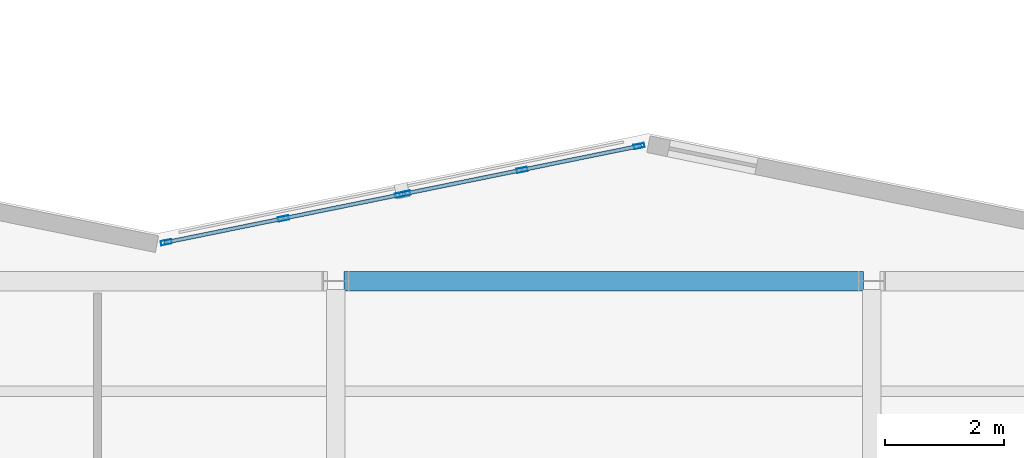
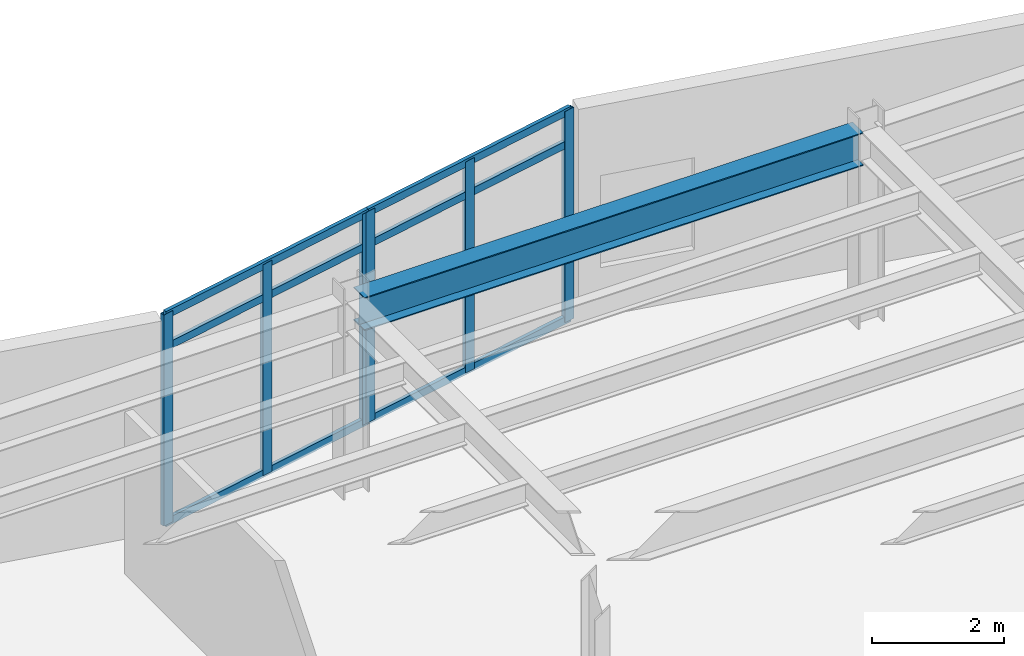
# One storey, part 16 of 46: 12 members, 1 beam, 2 elements without a shape of their own.
"""IFC4 building model written with IfcOpenShell, lengths in metres."""

import ifcopenshell
import ifcopenshell.guid

model = None  # the IFC model being written
_history = None  # IfcOwnerHistory: only IFC2X3 demands one
_inside = {}  # id of a spatial element -> (the spatial element, [elements in it])
_under = {}  # id of a project, library or spatial element -> (it, [spatial elements below it])
_declared = {}  # id of a project -> (the project, [libraries it declares])
_typed = {}  # id of a type object -> (the type object, [elements of that type])
_made_of = {}  # id of a material, layer set ... -> (it, [elements and type objects made of it])


def new_model(schema):
    """Start an empty IFC model of exactly this schema.

    Asked for "IFC4X3", IfcOpenShell would pick the latest addendum, in which some entities
    have other attributes; the version numbers below select the first issue.
    IFC2X3 requires an IfcOwnerHistory on every rooted entity: one is made here for all.
    """
    global model, _history
    if schema == "IFC4X3":
        model = ifcopenshell.file(schema_version=(4, 3, 0, 0))
    else:
        model = ifcopenshell.file(schema=schema)
    _inside.clear()
    _under.clear()
    _declared.clear()
    _typed.clear()
    _made_of.clear()
    _history = None
    if model.schema == "IFC2X3":
        org = make("IfcOrganization", Name="unknown")
        user = make(
            "IfcPersonAndOrganization",
            ThePerson=make("IfcPerson", FamilyName="unknown"),
            TheOrganization=org,
        )
        app = make(
            "IfcApplication",
            ApplicationDeveloper=org,
            Version="unknown",
            ApplicationFullName="unknown",
            ApplicationIdentifier="unknown",
        )
        _history = make(
            "IfcOwnerHistory",
            OwningUser=user,
            OwningApplication=app,
            ChangeAction="ADDED",
            CreationDate=0,
        )
    return model


def make(cls, **values):
    """One entity of the class cls with the attributes given. An attribute that is None is left unset."""
    return model.create_entity(
        cls, **{name: value for name, value in values.items() if value is not None}
    )


def rooted(cls, **values):
    """An entity with a GlobalId (a new one), such as an element, a storey or a relation."""
    return make(cls, GlobalId=ifcopenshell.guid.new(), OwnerHistory=_history, **values)


def si_unit(unit_type, name, prefix=None):
    """IfcSIUnit, for example si_unit("LENGTHUNIT", "METRE", prefix="MILLI")."""
    return make("IfcSIUnit", UnitType=unit_type, Prefix=prefix, Name=name)


def assignment(units):
    """IfcUnitAssignment: the units of a project."""
    return None if units is None else make("IfcUnitAssignment", Units=units)


def point(xyz):
    """IfcCartesianPoint."""
    return None if xyz is None else make("IfcCartesianPoint", Coordinates=xyz)


def direction(xyz):
    """IfcDirection."""
    return None if xyz is None else make("IfcDirection", DirectionRatios=xyz)


def frame(location, z_axis=None, x_axis=None):
    """IfcAxis2Placement3D, a coordinate frame: its origin and axes. An axis left out is left unset."""
    return make(
        "IfcAxis2Placement3D",
        Location=point(location),
        Axis=direction(z_axis),
        RefDirection=direction(x_axis),
    )


def frame_2d(location, x_axis=None):
    """IfcAxis2Placement2D, a coordinate frame in the plane: its origin and x axis."""
    return make(
        "IfcAxis2Placement2D", Location=point(location), RefDirection=direction(x_axis)
    )


def origin():
    """The frame at (0, 0, 0) with its axes left unset."""
    return frame((0.0, 0.0, 0.0))


def origin_2d():
    """The frame at (0, 0) in the plane with its x axis left unset."""
    return frame_2d((0.0, 0.0))


def place(relative_to, where):
    """IfcLocalPlacement: puts the frame where relative to a parent placement (None: the world)."""
    return make(
        "IfcLocalPlacement", PlacementRelTo=relative_to, RelativePlacement=where
    )


def context(
    kind, dimensions, precision=None, world=None, true_north=None, identifier=None
):
    """IfcGeometricRepresentationContext, for example the 3D "Model" context."""
    return make(
        "IfcGeometricRepresentationContext",
        ContextIdentifier=identifier,
        ContextType=kind,
        CoordinateSpaceDimension=dimensions,
        Precision=precision,
        WorldCoordinateSystem=world,
        TrueNorth=true_north,
    )


def subcontext(parent, identifier, kind, view, scale=None):
    """IfcGeometricRepresentationSubContext, for example "Body" below "Model"."""
    return make(
        "IfcGeometricRepresentationSubContext",
        ContextIdentifier=identifier,
        ContextType=kind,
        ParentContext=parent,
        TargetScale=scale,
        TargetView=view,
    )


def project(units=None, contexts=None):
    """IfcProject with its units and contexts."""
    return rooted(
        "IfcProject",
        Name="project",
        RepresentationContexts=contexts,
        UnitsInContext=assignment(units),
    )


def spatial(cls, under=None, at=None, **own):
    """A site, building, storey or space (cls), placed at a placement, below another one or the project."""
    s = rooted(cls, ObjectPlacement=at, **own)
    if under is not None:
        _under.setdefault(under.id(), (under, []))[1].append(s)
    return s


def profile(cls, at=None, kind="AREA", **sizes):
    """A parametric profile (cls). Its sizes go by their IFC names, for example OverallWidth=200.0."""
    return make(cls, ProfileType=kind, Position=at, **sizes)


def hollow_rectangle(**sizes):
    """IfcRectangleHollowProfileDef."""
    return profile("IfcRectangleHollowProfileDef", **sizes)


def i_section(**sizes):
    """IfcIShapeProfileDef."""
    return profile("IfcIShapeProfileDef", **sizes)


def extrude(swept, where, along, depth):
    """IfcExtrudedAreaSolid: the profile swept, set in the frame where, extruded along a direction by depth."""
    return make(
        "IfcExtrudedAreaSolid",
        SweptArea=swept,
        Position=where,
        ExtrudedDirection=direction(along),
        Depth=depth,
    )


def shape(context_of_items, identifier, shape_type, items):
    """IfcShapeRepresentation: the items that make up one representation, for example the "Body"."""
    return make(
        "IfcShapeRepresentation",
        ContextOfItems=context_of_items,
        RepresentationIdentifier=identifier,
        RepresentationType=shape_type,
        Items=items,
    )


def material(Name=None, Category=None):
    """IfcMaterial."""
    return make("IfcMaterial", Name=Name, Category=Category)


def layer(
    of_material, thickness, ventilated=None, Name=None, Category=None, Priority=None
):
    """IfcMaterialLayer: one layer of a wall or slab, of a material (None: an air gap)."""
    return make(
        "IfcMaterialLayer",
        Material=of_material,
        LayerThickness=thickness,
        IsVentilated=ventilated,
        Name=Name,
        Category=Category,
        Priority=Priority,
    )


def layer_set(layers, Name=None):
    """IfcMaterialLayerSet."""
    return make("IfcMaterialLayerSet", MaterialLayers=layers, LayerSetName=Name)


def material_profile(
    of_material, cross_section, Name=None, Category=None, Priority=None
):
    """IfcMaterialProfile: a cross section and its material."""
    return make(
        "IfcMaterialProfile",
        Name=Name,
        Material=of_material,
        Profile=cross_section,
        Priority=Priority,
        Category=Category,
    )


def profile_set(profiles, Name=None, composite=None):
    """IfcMaterialProfileSet."""
    return make(
        "IfcMaterialProfileSet",
        Name=Name,
        MaterialProfiles=profiles,
        CompositeProfile=composite,
    )


def made_of(thing, what):
    """Note that an element or type object is made of a material, layer set ...; save() writes the relation."""
    if what is not None:
        _made_of.setdefault(what.id(), (what, []))[1].append(thing)
    return thing


def type_object(cls, material=None, **own):
    """A type object (cls), such as IfcWallType, which elements share."""
    return made_of(rooted(cls, **own), material)


def element(
    cls,
    number,
    at=None,
    inside=None,
    cuts=None,
    type_object=None,
    material=None,
    context=None,
    identifier="Body",
    shape_type=None,
    held_by="IfcProductDefinitionShape",
    body=None,
    shapes=None,
    **own,
):
    """One element of the class cls, such as IfcWall. Its Tag is "e" and its number.

    at: its placement. inside: the storey or other place that contains it. cuts: it is an
    opening in that element (IfcRelVoidsElement). A single representation is given by context,
    identifier, shape_type and body (its items); several are given by shapes. held_by: the class
    of the entity that holds the representations. save() writes the other relations.
    """
    e = rooted(cls, Tag="e%d" % number, ObjectPlacement=at, **own)
    if body is not None:
        shapes = [shape(context, identifier, shape_type, body)]
    if shapes is not None:
        e.Representation = make(held_by, Representations=shapes)
    if inside is not None:
        _inside.setdefault(inside.id(), (inside, []))[1].append(e)
    if cuts is not None:
        rooted(
            "IfcRelVoidsElement", RelatingBuildingElement=cuts, RelatedOpeningElement=e
        )
    if type_object is not None:
        _typed.setdefault(type_object.id(), (type_object, []))[1].append(e)
    return made_of(e, material)


def aggregate(whole, parts):
    """IfcRelAggregates: a whole, such as a stair, and the parts it consists of."""
    return rooted("IfcRelAggregates", RelatingObject=whole, RelatedObjects=parts)


def save(model, path):
    """Write the relations noted so far, then the file.

    IfcRelAggregates (storeys below a building ...), IfcRelContainedInSpatialStructure (elements
    in a storey), IfcRelDefinesByType, IfcRelAssociatesMaterial and IfcRelDeclares: one each for
    every whole, place, type object, material and project.
    """
    for whole, parts in _under.values():
        aggregate(whole, parts)
    for where, things in _inside.values():
        rooted(
            "IfcRelContainedInSpatialStructure",
            RelatedElements=things,
            RelatingStructure=where,
        )
    for kind, things in _typed.values():
        rooted("IfcRelDefinesByType", RelatedObjects=things, RelatingType=kind)
    for what, things in _made_of.values():
        rooted("IfcRelAssociatesMaterial", RelatedObjects=things, RelatingMaterial=what)
    for by, libraries in _declared.values():
        rooted("IfcRelDeclares", RelatingContext=by, RelatedDefinitions=libraries)
    model.write(path)


model = new_model("IFC4")

# Units and contexts
model_context = context("Model", 3, precision=1e-05, world=origin(), true_north=direction((0.0, 1.0)))
body_context = subcontext(model_context, "Body", "Model", "MODEL_VIEW")
ifc_project = project(units=[si_unit("LENGTHUNIT", "METRE"), si_unit("AREAUNIT", "SQUARE_METRE"), si_unit("VOLUMEUNIT", "CUBIC_METRE"), si_unit("PLANEANGLEUNIT", "RADIAN"), si_unit("MASSUNIT", "GRAM", prefix="KILO")], contexts=[model_context])

# Site, building, storey
site_placement = place(None, origin())
site = spatial("IfcSite", under=ifc_project, at=site_placement, CompositionType="ELEMENT")
building_placement = place(site_placement, origin())
building = spatial("IfcBuilding", under=site, at=building_placement, Name="Sollismere Congress Hotel", CompositionType="ELEMENT")
storey_placement = place(building_placement, frame((0.0, 0.0, 19.5)))
storey = spatial("IfcBuildingStorey", under=building, at=storey_placement, Name="L04", CompositionType="ELEMENT", Elevation=19.5)

# Beam
ifc_material_1 = material(Name="Steel ASTM A992 Grade 50", Category="steel")
ifc_material_profile_1 = material_profile(ifc_material_1, i_section(OverallWidth=0.324951171875, OverallDepth=0.612060546875, WebThickness=0.0126953125, FlangeThickness=0.01904296875, at=origin_2d()), Name="W24X104")
ifc_profile_set_1 = profile_set([ifc_material_profile_1], Name="Steel ASTM A992 Grade 50")
beam_type = type_object("IfcBeamType", Name="BM-G24", PredefinedType="BEAM", material=ifc_profile_set_1)
beam_placement = place(storey_placement, frame((94.139892578125, 102.39990234375, 3.303955078125), z_axis=(1.0, 0.0, 0.0), x_axis=(0.0, 1.0, 0.0)))
element("IfcBeam", 1, at=beam_placement, inside=storey, type_object=beam_type, Name="Beam BM-L04-2716", PredefinedType="BEAM", context=body_context, shape_type="SweptSolid", body=[
    extrude(i_section(OverallWidth=0.324951171875, OverallDepth=0.612060546875, WebThickness=0.0126953125, FlangeThickness=0.01904296875, at=origin_2d()), origin(), (0.0, 0.0, 1.0), 8.72021484375),
])

# Curtain wall, members
ifc_material_2 = material(Name="Anodized Bronze Curtain Wall & Low-E Triple Glazing", Category="glass")
ifc_layer = layer(ifc_material_2, 0.199951171875, Name="Anodized Bronze Curtain Wall & Low-E Triple Glazing")
ifc_layer_set = layer_set([ifc_layer], Name="Anodized Bronze Curtain Wall & Low-E Triple Glazing")
curtain_wall_type = type_object("IfcCurtainWallType", Name="CW-GLZ36", PredefinedType="USERDEFINED", material=ifc_layer_set)
curtain_wall_1_placement = place(storey_placement, origin())
curtain_wall_1 = element("IfcCurtainWall", 2, at=curtain_wall_1_placement, inside=storey, type_object=curtain_wall_type, Name="Unitised curtain wall CW-L04-117", ObjectType="UNITISED CURTAIN WALL", PredefinedType="USERDEFINED")
ifc_material_3 = material(Name="Anodized Aluminum 6063-T6", Category="aluminium")
ifc_material_profile_2 = material_profile(ifc_material_3, hollow_rectangle(XDim=0.074951171875, YDim=0.179931640625, WallThickness=0.0048828125, at=origin_2d()), Name="ALU180X75X5")
ifc_profile_set_2 = profile_set([ifc_material_profile_2], Name="Anodized Aluminum 6063-T6")
member_type_1 = type_object("IfcMemberType", Name="ML-CW180", PredefinedType="MULLION", material=ifc_profile_set_2)
member_1_placement = place(storey_placement, frame((91.15478515625, 103.051513671875, 0.0), z_axis=(0.0, 0.0, 1.0), x_axis=(-0.199367934417, 0.979924704621, 0.0)))
member_1 = element("IfcMember", 3, at=member_1_placement, type_object=member_type_1, Name="CWL-CW-L04-117-ML01", PredefinedType="MULLION", context=body_context, shape_type="SweptSolid", body=[
    extrude(hollow_rectangle(XDim=0.074951171875, YDim=0.179931640625, WallThickness=0.0048828125, at=origin_2d()), origin(), (0.0, 0.0, 1.0), 3.89990234375),
])
member_2_placement = place(storey_placement, frame((93.121337890625, 103.45166015625, 0.0), z_axis=(0.0, 0.0, 1.0), x_axis=(-0.199367934417, 0.979924704621, 0.0)))
member_2 = element("IfcMember", 4, at=member_2_placement, type_object=member_type_1, Name="CWL-CW-L04-117-ML02", PredefinedType="MULLION", context=body_context, shape_type="SweptSolid", body=[
    extrude(hollow_rectangle(XDim=0.074951171875, YDim=0.179931640625, WallThickness=0.0048828125, at=origin_2d()), origin(), (0.0, 0.0, 1.0), 3.89990234375),
])
member_3_placement = place(storey_placement, frame((95.087890625, 103.851806640625, 0.0), z_axis=(0.0, 0.0, 1.0), x_axis=(-0.199367934417, 0.979924704621, 0.0)))
member_3 = element("IfcMember", 5, at=member_3_placement, type_object=member_type_1, Name="CWL-CW-L04-117-ML03", PredefinedType="MULLION", context=body_context, shape_type="SweptSolid", body=[
    extrude(hollow_rectangle(XDim=0.074951171875, YDim=0.179931640625, WallThickness=0.0048828125, at=origin_2d()), origin(), (0.0, 0.0, 1.0), 3.89990234375),
])

curtain_wall_2_placement = place(storey_placement, origin())
curtain_wall_2 = element("IfcCurtainWall", 6, at=curtain_wall_2_placement, inside=storey, type_object=curtain_wall_type, Name="Unitised curtain wall CW-L04-118", ObjectType="UNITISED CURTAIN WALL", PredefinedType="USERDEFINED")
member_4_placement = place(storey_placement, frame((95.162109375, 103.86669921875, 0.0), z_axis=(0.0, 0.0, 1.0), x_axis=(-0.199367934417, 0.979924704621, 0.0)))
member_4 = element("IfcMember", 7, at=member_4_placement, type_object=member_type_1, Name="CWL-CW-L04-118-ML01", PredefinedType="MULLION", context=body_context, shape_type="SweptSolid", body=[
    extrude(hollow_rectangle(XDim=0.074951171875, YDim=0.179931640625, WallThickness=0.0048828125, at=origin_2d()), origin(), (0.0, 0.0, 1.0), 3.89990234375),
])
member_5_placement = place(storey_placement, frame((97.128662109375, 104.266845703125, 0.0), z_axis=(0.0, 0.0, 1.0), x_axis=(-0.199367934417, 0.979924704621, 0.0)))
member_5 = element("IfcMember", 8, at=member_5_placement, type_object=member_type_1, Name="CWL-CW-L04-118-ML02", PredefinedType="MULLION", context=body_context, shape_type="SweptSolid", body=[
    extrude(hollow_rectangle(XDim=0.074951171875, YDim=0.179931640625, WallThickness=0.0048828125, at=origin_2d()), origin(), (0.0, 0.0, 1.0), 3.89990234375),
])
member_6_placement = place(storey_placement, frame((99.09521484375, 104.6669921875, 0.0), z_axis=(0.0, 0.0, 1.0), x_axis=(-0.199367934417, 0.979924704621, 0.0)))
member_6 = element("IfcMember", 9, at=member_6_placement, type_object=member_type_1, Name="CWL-CW-L04-118-ML03", PredefinedType="MULLION", context=body_context, shape_type="SweptSolid", body=[
    extrude(hollow_rectangle(XDim=0.074951171875, YDim=0.179931640625, WallThickness=0.0048828125, at=origin_2d()), origin(), (0.0, 0.0, 1.0), 3.89990234375),
])

# Member
ifc_material_profile_3 = material_profile(ifc_material_3, hollow_rectangle(XDim=0.06494140625, YDim=0.139892578125, WallThickness=0.00390625, at=origin_2d()), Name="ALU140X65X4")
ifc_profile_set_3 = profile_set([ifc_material_profile_3], Name="Anodized Aluminum 6063-T6")
member_type_2 = type_object("IfcMemberType", Name="TR-CW150", PredefinedType="MEMBER", material=ifc_profile_set_3)
member_7_placement = place(storey_placement, frame((91.11767578125, 103.0439453125, 0.032470703125), z_axis=(0.979918476409, 0.199398544609, 0.0), x_axis=(-0.199398544609, 0.979918476409, 0.0)))
member_7 = element("IfcMember", 10, at=member_7_placement, type_object=member_type_2, Name="CWL-CW-L04-117-TR1", PredefinedType="MEMBER", context=body_context, shape_type="SweptSolid", body=[
    extrude(hollow_rectangle(XDim=0.06494140625, YDim=0.139892578125, WallThickness=0.00390625, at=origin_2d()), origin(), (0.0, 0.0, 1.0), 4.08935546875),
])

member_8_placement = place(storey_placement, frame((91.11767578125, 103.0439453125, 3.27587890625), z_axis=(0.979918476409, 0.199398544609, 0.0), x_axis=(-0.199398544609, 0.979918476409, 0.0)))
member_8 = element("IfcMember", 11, at=member_8_placement, type_object=member_type_2, Name="CWL-CW-L04-117-TR2", PredefinedType="MEMBER", context=body_context, shape_type="SweptSolid", body=[
    extrude(hollow_rectangle(XDim=0.06494140625, YDim=0.139892578125, WallThickness=0.00390625, at=origin_2d()), origin(), (0.0, 0.0, 1.0), 4.08935546875),
])

member_9_placement = place(storey_placement, frame((91.11767578125, 103.0439453125, 3.867431640625), z_axis=(0.979918476409, 0.199398544609, 0.0), x_axis=(-0.199398544609, 0.979918476409, 0.0)))
member_9 = element("IfcMember", 12, at=member_9_placement, type_object=member_type_2, Name="CWL-CW-L04-117-TR3", PredefinedType="MEMBER", context=body_context, shape_type="SweptSolid", body=[
    extrude(hollow_rectangle(XDim=0.06494140625, YDim=0.139892578125, WallThickness=0.00390625, at=origin_2d()), origin(), (0.0, 0.0, 1.0), 4.08935546875),
])

aggregate(curtain_wall_1, [member_1, member_2, member_3, member_7, member_8, member_9])

member_10_placement = place(storey_placement, frame((95.125, 103.859375, 0.032470703125), z_axis=(0.979930139944, 0.199341217087, 0.0), x_axis=(-0.199341217087, 0.979930139944, 0.0)))
member_10 = element("IfcMember", 13, at=member_10_placement, type_object=member_type_2, Name="CWL-CW-L04-118-TR1", PredefinedType="MEMBER", context=body_context, shape_type="SweptSolid", body=[
    extrude(hollow_rectangle(XDim=0.06494140625, YDim=0.139892578125, WallThickness=0.00390625, at=origin_2d()), origin(), (0.0, 0.0, 1.0), 4.08935546875),
])

member_11_placement = place(storey_placement, frame((95.125, 103.859375, 3.27587890625), z_axis=(0.979930139944, 0.199341217087, 0.0), x_axis=(-0.199341217087, 0.979930139944, 0.0)))
member_11 = element("IfcMember", 14, at=member_11_placement, type_object=member_type_2, Name="CWL-CW-L04-118-TR2", PredefinedType="MEMBER", context=body_context, shape_type="SweptSolid", body=[
    extrude(hollow_rectangle(XDim=0.06494140625, YDim=0.139892578125, WallThickness=0.00390625, at=origin_2d()), origin(), (0.0, 0.0, 1.0), 4.08935546875),
])

member_12_placement = place(storey_placement, frame((95.125, 103.859375, 3.867431640625), z_axis=(0.979930139944, 0.199341217087, 0.0), x_axis=(-0.199341217087, 0.979930139944, 0.0)))
member_12 = element("IfcMember", 15, at=member_12_placement, type_object=member_type_2, Name="CWL-CW-L04-118-TR3", PredefinedType="MEMBER", context=body_context, shape_type="SweptSolid", body=[
    extrude(hollow_rectangle(XDim=0.06494140625, YDim=0.139892578125, WallThickness=0.00390625, at=origin_2d()), origin(), (0.0, 0.0, 1.0), 4.08935546875),
])

aggregate(curtain_wall_2, [member_4, member_5, member_6, member_10, member_11, member_12])

save(model, "model.ifc")
